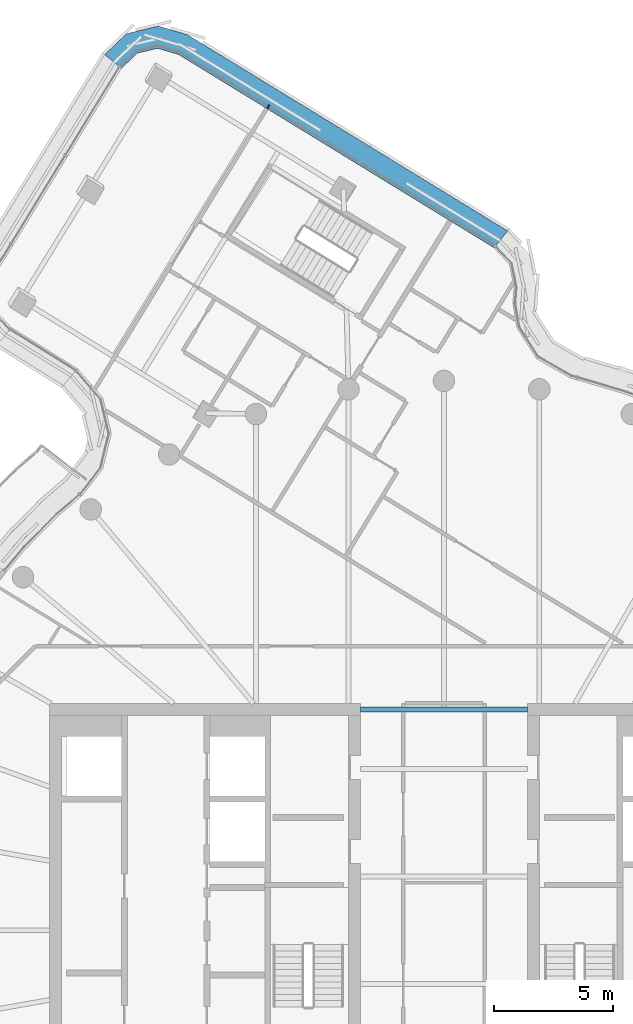
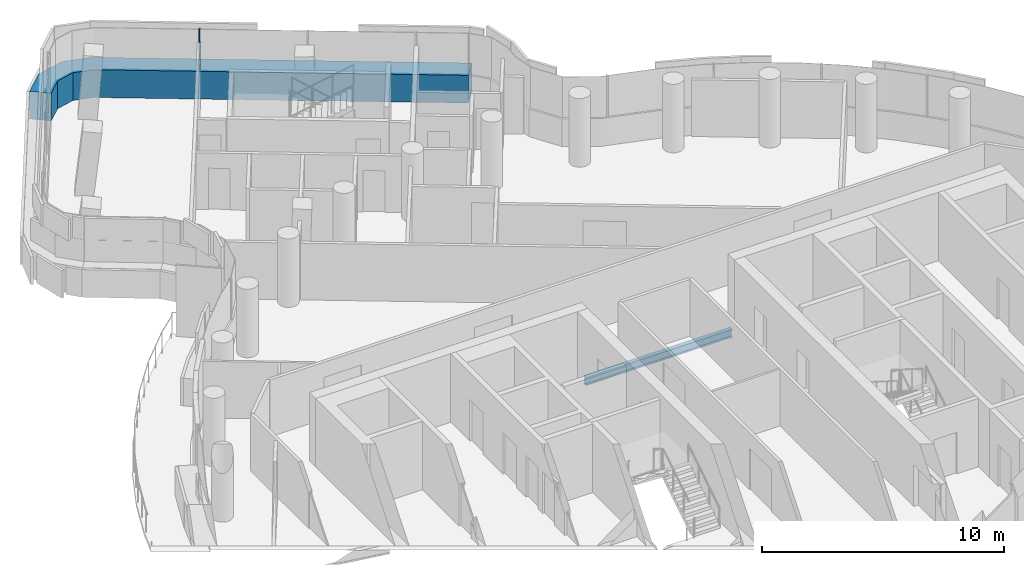
# One storey, part 10 of 27: 2 members, 1 beam, 1 element without a shape of its own.
"""IFC4 building model written with IfcOpenShell, lengths in metres."""

from ifc_helpers import new_model, si_unit, direction, frame, origin, origin_2d, place, context, subcontext, project, spatial, polyline, rectangle, i_section, outline, extrude, material, layer, layer_set, material_profile, profile_set, type_object, element, aggregate, save


model = new_model("IFC4")

# Units and contexts
model_context = context("Model", 3, precision=1e-05, world=origin(), true_north=direction((0.0, 1.0)))
body_context = subcontext(model_context, "Body", "Model", "MODEL_VIEW")
ifc_project = project(units=[si_unit("LENGTHUNIT", "METRE"), si_unit("AREAUNIT", "SQUARE_METRE"), si_unit("VOLUMEUNIT", "CUBIC_METRE"), si_unit("PLANEANGLEUNIT", "RADIAN"), si_unit("MASSUNIT", "GRAM", prefix="KILO")], contexts=[model_context])

# Site, building, storey
site_placement = place(None, origin())
site = spatial("IfcSite", under=ifc_project, at=site_placement, CompositionType="ELEMENT")
building_placement = place(site_placement, origin())
building = spatial("IfcBuilding", under=site, at=building_placement, Name="Tamarind Cross Interchange Tower", CompositionType="ELEMENT")
storey_placement = place(building_placement, frame((0.0, 0.0, 245.10009765625)))
storey = spatial("IfcBuildingStorey", under=building, at=storey_placement, Name="L62", CompositionType="ELEMENT", Elevation=245.10009765625)

# Beam
ifc_material_1 = material(Name="Steel Q355B", Category="steel")
ifc_material_profile_1 = material_profile(ifc_material_1, i_section(OverallWidth=0.199951171875, OverallDepth=0.39990234375, WebThickness=0.008056640625, FlangeThickness=0.012939453125, FilletRadius=0.01611328125, at=origin_2d()), Name="HN 400x200x8x13")
ifc_profile_set_1 = profile_set([ifc_material_profile_1], Name="Steel Q355B")
beam_type = type_object("IfcBeamType", Name="Composite beam HN 400x200x8x13 Q355B", PredefinedType="BEAM", material=ifc_profile_set_1)
beam_placement = place(storey_placement, frame((-3.5, 9.25, -0.340087890625), z_axis=(1.0, 0.0, 0.0), x_axis=(0.0, 1.0, 0.0)))
element("IfcBeam", 1, at=beam_placement, inside=storey, type_object=beam_type, Name="Beam G9.25", PredefinedType="BEAM", context=body_context, shape_type="SweptSolid", body=[
    extrude(i_section(OverallWidth=0.199951171875, OverallDepth=0.39990234375, WebThickness=0.008056640625, FlangeThickness=0.012939453125, FilletRadius=0.01611328125, at=origin_2d()), origin(), (0.0, 0.0, 1.0), 7.0),
])

# Curtain wall, members
ifc_material_2 = material(Name="Aluminium 6063-T6", Category="aluminium")
ifc_layer = layer(ifc_material_2, 0.139892578125)
ifc_layer_set = layer_set([ifc_layer], Name="Aluminium 6063-T6")
curtain_wall_type = type_object("IfcCurtainWallType", Name="Hotel curtain wall, 4.5 m bays", PredefinedType="NOTDEFINED", material=ifc_layer_set)
curtain_wall_placement = place(storey_placement, origin())
curtain_wall = element("IfcCurtainWall", 2, at=curtain_wall_placement, inside=storey, type_object=curtain_wall_type, Name="CWS-L62-07", PredefinedType="NOTDEFINED")
ifc_material_3 = material(Name="Aluminium and insulated spandrel panel", Category="aluminium")
member_type_1 = type_object("IfcMemberType", Name="Floor-edge blade transom", PredefinedType="USERDEFINED", material=ifc_material_3)
member_1_placement = place(storey_placement, origin())
member_1 = element("IfcMember", 3, at=member_1_placement, type_object=member_type_1, Name="CWT-L62-07", ObjectType="TRANSOM", PredefinedType="USERDEFINED", context=body_context, shape_type="SweptSolid", body=[
    extrude(outline(polyline([(2.095458984375, 28.573486328125), (-11.106201171875, 36.660888671875), (-11.984130859375, 36.920654296875), (-12.83447265625, 36.71630859375), (-13.498291015625, 36.086181640625), (-14.203857421875, 36.6572265625), (-13.279052734375, 37.53515625), (-11.959716796875, 37.85205078125), (-10.7373046875, 37.490234375), (2.6708984375, 29.2763671875), (2.095458984375, 28.573486328125)])), origin(), (0.0, 0.0, 1.0), 1.39990234375),
])
ifc_material_profile_2 = material_profile(ifc_material_2, rectangle(XDim=0.06005859375, YDim=0.139892578125, at=origin_2d()), Name="Mullion CW2")
ifc_profile_set_2 = profile_set([ifc_material_profile_2], Name="Aluminium 6063-T6")
member_type_2 = type_object("IfcMemberType", Name="Mullion CW2", PredefinedType="MULLION", material=ifc_profile_set_2)
member_2_placement = place(storey_placement, frame((-7.35302734375, 34.47900390625, 1.39990234375), z_axis=(0.0, 0.0, 1.0), x_axis=(-0.852720404316, 0.522367602426, 0.0)))
member_2 = element("IfcMember", 4, at=member_2_placement, type_object=member_type_2, Name="CWM-L62-07-03", PredefinedType="MULLION", context=body_context, shape_type="SweptSolid", body=[
    extrude(rectangle(XDim=0.06005859375, YDim=0.139892578125, at=origin_2d()), origin(), (0.0, 0.0, 1.0), 2.06005859375),
])
aggregate(curtain_wall, [member_2, member_1])

save(model, "model.ifc")
